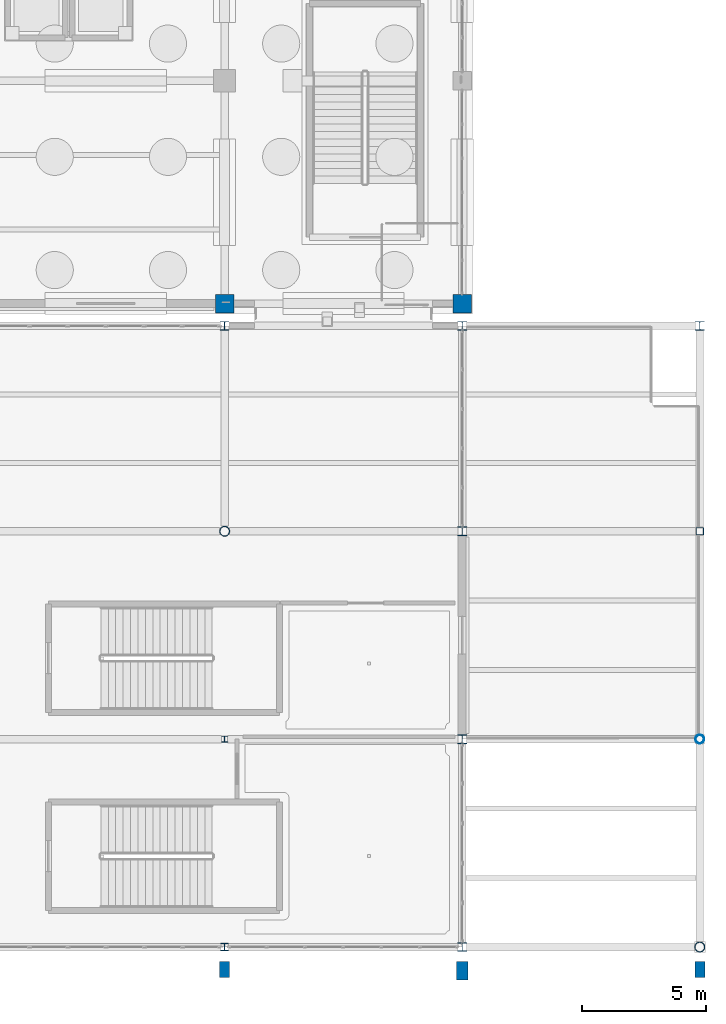
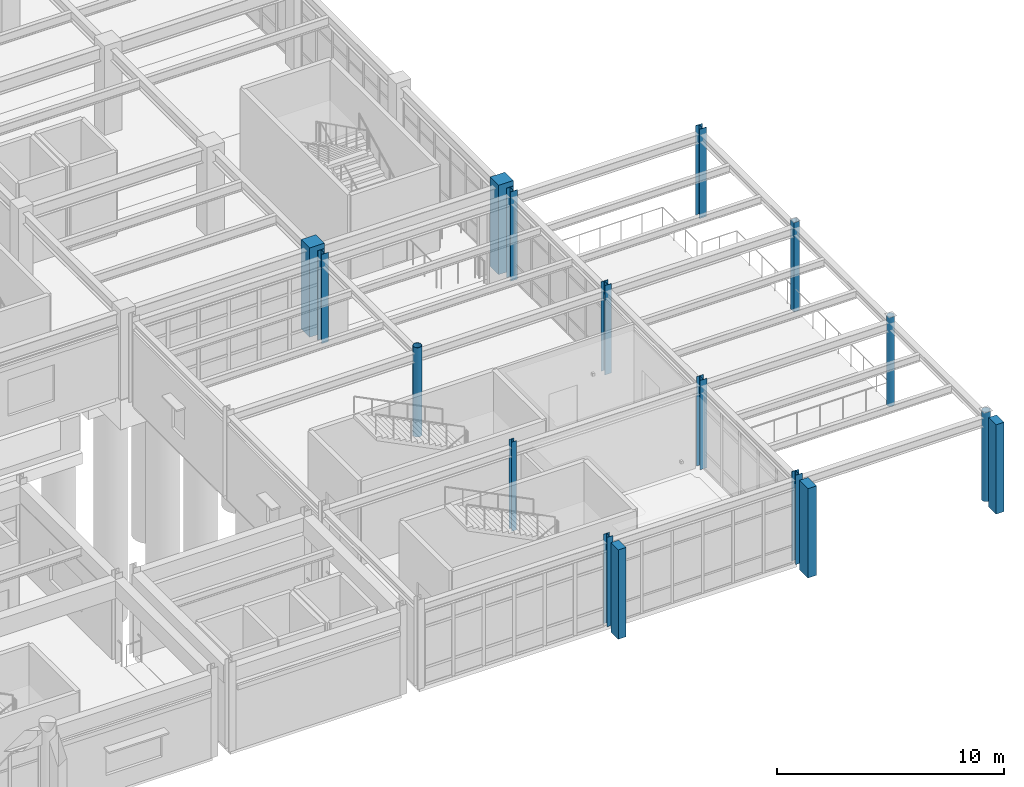
# One storey, part 6 of 139: 17 columns.
"""IFC4 building model written with IfcOpenShell, lengths in metres."""

from ifc_helpers import new_model, si_unit, direction, frame, origin, origin_2d, place, context, subcontext, project, spatial, rectangle, hollow_rectangle, hollow_circle, i_section, extrude, material, material_profile, profile_set, type_object, element, save


model = new_model("IFC4")

# Units and contexts
model_context = context("Model", 3, precision=1e-05, world=origin(), true_north=direction((0.0, 1.0)))
body_context = subcontext(model_context, "Body", "Model", "MODEL_VIEW")
ifc_project = project(units=[si_unit("LENGTHUNIT", "METRE"), si_unit("AREAUNIT", "SQUARE_METRE"), si_unit("VOLUMEUNIT", "CUBIC_METRE"), si_unit("PLANEANGLEUNIT", "RADIAN"), si_unit("MASSUNIT", "GRAM", prefix="KILO")], contexts=[model_context])

# Site, building, storey
site_placement = place(None, origin())
site = spatial("IfcSite", under=ifc_project, at=site_placement, CompositionType="ELEMENT")
building_placement = place(site_placement, origin())
building = spatial("IfcBuilding", under=site, at=building_placement, Name="Canglan Escarpment Cableway Terminal", CompositionType="ELEMENT")
storey_placement = place(building_placement, frame((0.0, 0.0, 14.39990234375)))
storey = spatial("IfcBuildingStorey", under=building, at=storey_placement, Name="L03", CompositionType="ELEMENT", Elevation=14.39990234375)

# Columns
ifc_material_1 = material(Name="Steel Q355B", Category="steel")
ifc_material_profile_1 = material_profile(ifc_material_1, hollow_circle(Radius=0.177734375, WallThickness=0.012451171875, at=origin_2d()), Name="CHS 355.6x12.5")
ifc_profile_set_1 = profile_set([ifc_material_profile_1], Name="Steel Q355B")
column_type_1 = type_object("IfcColumnType", Name="COL-CHS355-Q355B", PredefinedType="COLUMN", material=ifc_profile_set_1)
column_1_placement = place(storey_placement, frame((176.0, 16.39990234375, 0.0), z_axis=(0.0, 0.0, 1.0), x_axis=(1.0, 0.0, 0.0)))
element("IfcColumn", 1, at=column_1_placement, inside=storey, type_object=column_type_1, Name="Structural column C-13", PredefinedType="COLUMN", context=body_context, shape_type="SweptSolid", body=[
    extrude(hollow_circle(Radius=0.177734375, WallThickness=0.012451171875, at=origin_2d()), origin(), (0.0, 0.0, 1.0), 4.800048828125),
])
ifc_material_2 = material(Name="Steel Q355C", Category="steel")
ifc_material_profile_2 = material_profile(ifc_material_2, hollow_circle(Radius=0.203125, WallThickness=0.01611328125, at=origin_2d()), Name="CHS 406.4x16")
ifc_profile_set_2 = profile_set([ifc_material_profile_2], Name="Steel Q355C")
column_type_2 = type_object("IfcColumnType", Name="COL-CHS406-Q355C", PredefinedType="COLUMN", material=ifc_profile_set_2)
for number, where, z_axis, x_axis, name in (
    (2, (156.800048828125, 24.800048828125, 0.0), (0.0, 0.0, 1.0), (1.0, 0.0, 0.0), "Structural column C-12"),
    (3, (176.0, 8.0, 0.0), (0.0, 0.0, 1.0), (1.0, 0.0, 0.0), "Structural column C-12"),
):
    element("IfcColumn", number, at=place(storey_placement, frame(where, z_axis=z_axis, x_axis=x_axis)), inside=storey, type_object=column_type_2, Name=name, PredefinedType="COLUMN", context=body_context, shape_type="SweptSolid", body=[
        extrude(hollow_circle(Radius=0.203125, WallThickness=0.01611328125, at=origin_2d()), origin(), (0.0, 0.0, 1.0), 4.800048828125),
    ])
ifc_material_profile_3 = material_profile(ifc_material_1, i_section(OverallWidth=0.25, OverallDepth=0.25, WebThickness=0.009033203125, FlangeThickness=0.013916015625, FilletRadius=0.01611328125, at=origin_2d()), Name="HW 250x250x9x14")
ifc_profile_set_3 = profile_set([ifc_material_profile_3], Name="Steel Q355B")
column_type_3 = type_object("IfcColumnType", Name="COL-HW250-Q355B", PredefinedType="COLUMN", material=ifc_profile_set_3)
column_2_placement = place(storey_placement, frame((156.800048828125, 16.39990234375, 0.0), z_axis=(0.0, 0.0, 1.0), x_axis=(1.0, 0.0, 0.0)))
element("IfcColumn", 4, at=column_2_placement, inside=storey, type_object=column_type_3, Name="Structural column C-11", PredefinedType="COLUMN", context=body_context, shape_type="SweptSolid", body=[
    extrude(i_section(OverallWidth=0.25, OverallDepth=0.25, WebThickness=0.009033203125, FlangeThickness=0.013916015625, FilletRadius=0.01611328125, at=origin_2d()), origin(), (0.0, 0.0, 1.0), 4.800048828125),
])
ifc_material_profile_4 = material_profile(ifc_material_1, i_section(OverallWidth=0.300048828125, OverallDepth=0.300048828125, WebThickness=0.010009765625, FlangeThickness=0.014892578125, FilletRadius=0.01806640625, at=origin_2d()), Name="HW 300x300x10x15")
ifc_profile_set_4 = profile_set([ifc_material_profile_4], Name="Steel Q355B")
column_type_4 = type_object("IfcColumnType", Name="COL-HW300-Q355B", PredefinedType="COLUMN", material=ifc_profile_set_4)
column_3_placement = place(storey_placement, frame((156.800048828125, 8.0, 0.0), z_axis=(0.0, 0.0, 1.0), x_axis=(1.0, 0.0, 0.0)))
element("IfcColumn", 5, at=column_3_placement, inside=storey, type_object=column_type_4, Name="Structural column C-10", PredefinedType="COLUMN", context=body_context, shape_type="SweptSolid", body=[
    extrude(i_section(OverallWidth=0.300048828125, OverallDepth=0.300048828125, WebThickness=0.010009765625, FlangeThickness=0.014892578125, FilletRadius=0.01806640625, at=origin_2d()), origin(), (0.0, 0.0, 1.0), 4.800048828125),
])
ifc_material_profile_5 = material_profile(ifc_material_2, i_section(OverallWidth=0.35009765625, OverallDepth=0.35009765625, WebThickness=0.011962890625, FlangeThickness=0.01904296875, FilletRadius=0.02001953125, at=origin_2d()), Name="HW 350x350x12x19")
ifc_profile_set_5 = profile_set([ifc_material_profile_5], Name="Steel Q355C")
column_type_5 = type_object("IfcColumnType", Name="COL-HW350-Q355C", PredefinedType="COLUMN", material=ifc_profile_set_5)
for number, where, z_axis, x_axis, name in (
    (6, (156.800048828125, 33.10009765625, 0.0), (0.0, 0.0, 1.0), (1.0, 0.0, 0.0), "Structural column C-09"),
    (7, (166.39990234375, 8.0, 0.0), (0.0, 0.0, 1.0), (1.0, 0.0, 0.0), "Structural column C-09"),
    (8, (166.39990234375, 16.39990234375, 0.0), (0.0, 0.0, 1.0), (1.0, 0.0, 0.0), "Structural column C-09"),
    (9, (166.39990234375, 24.800048828125, 0.0), (0.0, 0.0, 1.0), (1.0, 0.0, 0.0), "Structural column C-09"),
    (10, (166.39990234375, 33.10009765625, 0.0), (0.0, 0.0, 1.0), (1.0, 0.0, 0.0), "Structural column C-09"),
    (11, (176.0, 33.10009765625, 0.0), (0.0, 0.0, 1.0), (1.0, 0.0, 0.0), "Structural column C-09"),
):
    element("IfcColumn", number, at=place(storey_placement, frame(where, z_axis=z_axis, x_axis=x_axis)), inside=storey, type_object=column_type_5, Name=name, PredefinedType="COLUMN", context=body_context, shape_type="SweptSolid", body=[
        extrude(i_section(OverallWidth=0.35009765625, OverallDepth=0.35009765625, WebThickness=0.011962890625, FlangeThickness=0.01904296875, FilletRadius=0.02001953125, at=origin_2d()), origin(), (0.0, 0.0, 1.0), 4.800048828125),
    ])
ifc_material_3 = material(Name="Concrete C40", Category="concrete")
ifc_material_profile_6 = material_profile(ifc_material_3, rectangle(XDim=0.75, YDim=0.75, at=origin_2d()), Name="RC 750x750")
ifc_profile_set_6 = profile_set([ifc_material_profile_6], Name="Concrete C40")
column_type_6 = type_object("IfcColumnType", Name="COL-RC750-C40", PredefinedType="COLUMN", material=ifc_profile_set_6)
for number, where, z_axis, x_axis, name in (
    (12, (156.800048828125, 34.0, 0.0), (0.0, 0.0, 1.0), (1.0, 0.0, 0.0), "Structural column C-03"),
    (13, (166.39990234375, 34.0, 0.0), (0.0, 0.0, 1.0), (1.0, 0.0, 0.0), "Structural column C-03"),
):
    element("IfcColumn", number, at=place(storey_placement, frame(where, z_axis=z_axis, x_axis=x_axis)), inside=storey, type_object=column_type_6, Name=name, PredefinedType="COLUMN", context=body_context, shape_type="SweptSolid", body=[
        extrude(rectangle(XDim=0.75, YDim=0.75, at=origin_2d()), origin(), (0.0, 0.0, 1.0), 4.800048828125),
    ])
ifc_material_profile_7 = material_profile(ifc_material_1, hollow_rectangle(XDim=0.300048828125, YDim=0.300048828125, WallThickness=0.011962890625, InnerFilletRadius=0.011962890625, OuterFilletRadius=0.02392578125, at=origin_2d()), Name="SHS 300x300x12")
ifc_profile_set_7 = profile_set([ifc_material_profile_7], Name="Steel Q355B")
column_type_7 = type_object("IfcColumnType", Name="COL-SHS300-Q355B", PredefinedType="COLUMN", material=ifc_profile_set_7)
column_4_placement = place(storey_placement, frame((176.0, 24.800048828125, 0.0), z_axis=(0.0, 0.0, 1.0), x_axis=(1.0, 0.0, 0.0)))
element("IfcColumn", 14, at=column_4_placement, inside=storey, type_object=column_type_7, Name="Structural column C-14", PredefinedType="COLUMN", context=body_context, shape_type="SweptSolid", body=[
    extrude(hollow_rectangle(XDim=0.300048828125, YDim=0.300048828125, WallThickness=0.011962890625, InnerFilletRadius=0.011962890625, OuterFilletRadius=0.02392578125, at=origin_2d()), origin(), (0.0, 0.0, 1.0), 4.800048828125),
])
ifc_material_profile_8 = material_profile(ifc_material_3, rectangle(XDim=0.39990234375, YDim=0.64990234375, at=origin_2d()), Name="RC-PIL 400x650")
ifc_profile_set_8 = profile_set([ifc_material_profile_8], Name="Concrete C40")
column_type_8 = type_object("IfcColumnType", Name="PIL-RC400x650", PredefinedType="PILASTER", material=ifc_profile_set_8)
for number, where, z_axis, x_axis, name in (
    (15, (156.800048828125, 7.094970703125, 0.0), (0.0, 0.0, 1.0), (1.0, 0.0, 0.0), "Neoclassical engaged pilaster PL-02"),
    (16, (176.0, 7.094970703125, 0.0), (0.0, 0.0, 1.0), (1.0, 0.0, 0.0), "Neoclassical engaged pilaster PL-02"),
):
    element("IfcColumn", number, at=place(storey_placement, frame(where, z_axis=z_axis, x_axis=x_axis)), inside=storey, type_object=column_type_8, Name=name, PredefinedType="PILASTER", context=body_context, shape_type="SweptSolid", body=[
        extrude(rectangle(XDim=0.39990234375, YDim=0.64990234375, at=origin_2d()), origin(), (0.0, 0.0, 1.0), 4.800048828125),
    ])
ifc_material_profile_9 = material_profile(ifc_material_3, rectangle(XDim=0.449951171875, YDim=0.75, at=origin_2d()), Name="RC-PIL 450x750")
ifc_profile_set_9 = profile_set([ifc_material_profile_9], Name="Concrete C40")
column_type_9 = type_object("IfcColumnType", Name="PIL-RC450x750", PredefinedType="PILASTER", material=ifc_profile_set_9)
column_5_placement = place(storey_placement, frame((166.39990234375, 7.044921875, 0.0), z_axis=(0.0, 0.0, 1.0), x_axis=(1.0, 0.0, 0.0)))
element("IfcColumn", 17, at=column_5_placement, inside=storey, type_object=column_type_9, Name="Neoclassical engaged pilaster PL-01", PredefinedType="PILASTER", context=body_context, shape_type="SweptSolid", body=[
    extrude(rectangle(XDim=0.449951171875, YDim=0.75, at=origin_2d()), origin(), (0.0, 0.0, 1.0), 4.800048828125),
])

save(model, "model.ifc")
